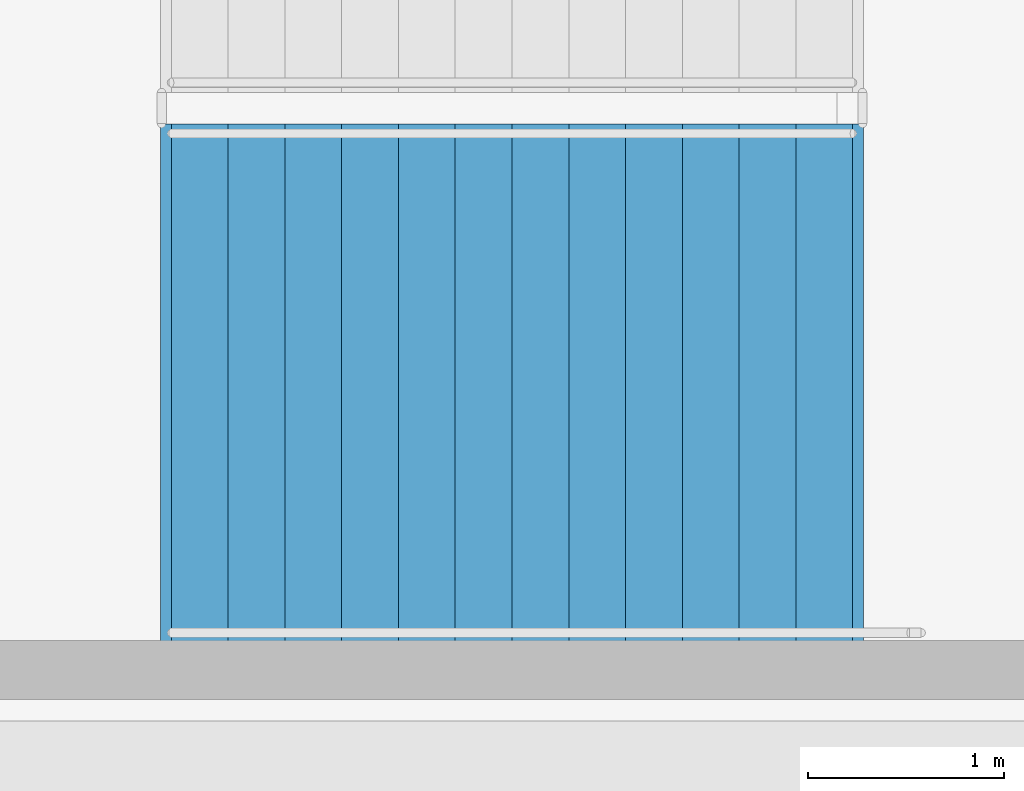
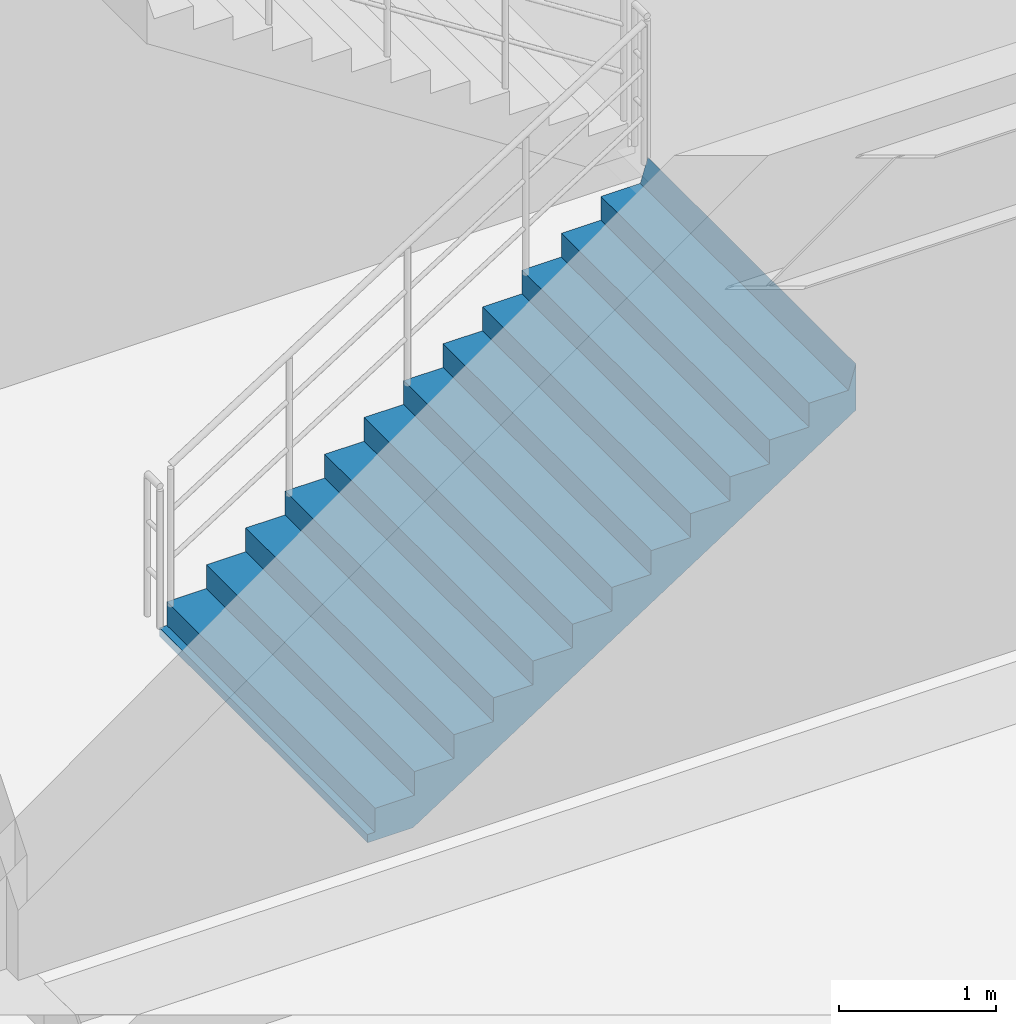
# One storey, part 60 of 68: 1 stair flight, 1 element without a shape of its own.
"""IFC4 building model written with IfcOpenShell, lengths in metres."""

import ifcopenshell
import ifcopenshell.guid

model = None  # the IFC model being written
_history = None  # IfcOwnerHistory: only IFC2X3 demands one
_inside = {}  # id of a spatial element -> (the spatial element, [elements in it])
_under = {}  # id of a project, library or spatial element -> (it, [spatial elements below it])
_declared = {}  # id of a project -> (the project, [libraries it declares])
_typed = {}  # id of a type object -> (the type object, [elements of that type])
_made_of = {}  # id of a material, layer set ... -> (it, [elements and type objects made of it])


def new_model(schema):
    """Start an empty IFC model of exactly this schema.

    Asked for "IFC4X3", IfcOpenShell would pick the latest addendum, in which some entities
    have other attributes; the version numbers below select the first issue.
    IFC2X3 requires an IfcOwnerHistory on every rooted entity: one is made here for all.
    """
    global model, _history
    if schema == "IFC4X3":
        model = ifcopenshell.file(schema_version=(4, 3, 0, 0))
    else:
        model = ifcopenshell.file(schema=schema)
    _inside.clear()
    _under.clear()
    _declared.clear()
    _typed.clear()
    _made_of.clear()
    _history = None
    if model.schema == "IFC2X3":
        org = make("IfcOrganization", Name="unknown")
        user = make(
            "IfcPersonAndOrganization",
            ThePerson=make("IfcPerson", FamilyName="unknown"),
            TheOrganization=org,
        )
        app = make(
            "IfcApplication",
            ApplicationDeveloper=org,
            Version="unknown",
            ApplicationFullName="unknown",
            ApplicationIdentifier="unknown",
        )
        _history = make(
            "IfcOwnerHistory",
            OwningUser=user,
            OwningApplication=app,
            ChangeAction="ADDED",
            CreationDate=0,
        )
    return model


def make(cls, **values):
    """One entity of the class cls with the attributes given. An attribute that is None is left unset."""
    return model.create_entity(
        cls, **{name: value for name, value in values.items() if value is not None}
    )


def rooted(cls, **values):
    """An entity with a GlobalId (a new one), such as an element, a storey or a relation."""
    return make(cls, GlobalId=ifcopenshell.guid.new(), OwnerHistory=_history, **values)


def si_unit(unit_type, name, prefix=None):
    """IfcSIUnit, for example si_unit("LENGTHUNIT", "METRE", prefix="MILLI")."""
    return make("IfcSIUnit", UnitType=unit_type, Prefix=prefix, Name=name)


def assignment(units):
    """IfcUnitAssignment: the units of a project."""
    return None if units is None else make("IfcUnitAssignment", Units=units)


def point(xyz):
    """IfcCartesianPoint."""
    return None if xyz is None else make("IfcCartesianPoint", Coordinates=xyz)


def direction(xyz):
    """IfcDirection."""
    return None if xyz is None else make("IfcDirection", DirectionRatios=xyz)


def frame(location, z_axis=None, x_axis=None):
    """IfcAxis2Placement3D, a coordinate frame: its origin and axes. An axis left out is left unset."""
    return make(
        "IfcAxis2Placement3D",
        Location=point(location),
        Axis=direction(z_axis),
        RefDirection=direction(x_axis),
    )


def origin():
    """The frame at (0, 0, 0) with its axes left unset."""
    return frame((0.0, 0.0, 0.0))


def place(relative_to, where):
    """IfcLocalPlacement: puts the frame where relative to a parent placement (None: the world)."""
    return make(
        "IfcLocalPlacement", PlacementRelTo=relative_to, RelativePlacement=where
    )


def context(
    kind, dimensions, precision=None, world=None, true_north=None, identifier=None
):
    """IfcGeometricRepresentationContext, for example the 3D "Model" context."""
    return make(
        "IfcGeometricRepresentationContext",
        ContextIdentifier=identifier,
        ContextType=kind,
        CoordinateSpaceDimension=dimensions,
        Precision=precision,
        WorldCoordinateSystem=world,
        TrueNorth=true_north,
    )


def subcontext(parent, identifier, kind, view, scale=None):
    """IfcGeometricRepresentationSubContext, for example "Body" below "Model"."""
    return make(
        "IfcGeometricRepresentationSubContext",
        ContextIdentifier=identifier,
        ContextType=kind,
        ParentContext=parent,
        TargetScale=scale,
        TargetView=view,
    )


def project(units=None, contexts=None):
    """IfcProject with its units and contexts."""
    return rooted(
        "IfcProject",
        Name="project",
        RepresentationContexts=contexts,
        UnitsInContext=assignment(units),
    )


def spatial(cls, under=None, at=None, **own):
    """A site, building, storey or space (cls), placed at a placement, below another one or the project."""
    s = rooted(cls, ObjectPlacement=at, **own)
    if under is not None:
        _under.setdefault(under.id(), (under, []))[1].append(s)
    return s


def polyline(points):
    """IfcPolyline through the points."""
    return make("IfcPolyline", Points=[point(p) for p in points])


def outline(outer, holes=None, kind="AREA"):
    """IfcArbitraryClosedProfileDef: a profile drawn as a closed curve; with holes, ...WithVoids."""
    if holes is None:
        return make("IfcArbitraryClosedProfileDef", ProfileType=kind, OuterCurve=outer)
    return make(
        "IfcArbitraryProfileDefWithVoids",
        ProfileType=kind,
        OuterCurve=outer,
        InnerCurves=holes,
    )


def extrude(swept, where, along, depth):
    """IfcExtrudedAreaSolid: the profile swept, set in the frame where, extruded along a direction by depth."""
    return make(
        "IfcExtrudedAreaSolid",
        SweptArea=swept,
        Position=where,
        ExtrudedDirection=direction(along),
        Depth=depth,
    )


def shape(context_of_items, identifier, shape_type, items):
    """IfcShapeRepresentation: the items that make up one representation, for example the "Body"."""
    return make(
        "IfcShapeRepresentation",
        ContextOfItems=context_of_items,
        RepresentationIdentifier=identifier,
        RepresentationType=shape_type,
        Items=items,
    )


def material(Name=None, Category=None):
    """IfcMaterial."""
    return make("IfcMaterial", Name=Name, Category=Category)


def made_of(thing, what):
    """Note that an element or type object is made of a material, layer set ...; save() writes the relation."""
    if what is not None:
        _made_of.setdefault(what.id(), (what, []))[1].append(thing)
    return thing


def type_object(cls, material=None, **own):
    """A type object (cls), such as IfcWallType, which elements share."""
    return made_of(rooted(cls, **own), material)


def element(
    cls,
    number,
    at=None,
    inside=None,
    cuts=None,
    type_object=None,
    material=None,
    context=None,
    identifier="Body",
    shape_type=None,
    held_by="IfcProductDefinitionShape",
    body=None,
    shapes=None,
    **own,
):
    """One element of the class cls, such as IfcWall. Its Tag is "e" and its number.

    at: its placement. inside: the storey or other place that contains it. cuts: it is an
    opening in that element (IfcRelVoidsElement). A single representation is given by context,
    identifier, shape_type and body (its items); several are given by shapes. held_by: the class
    of the entity that holds the representations. save() writes the other relations.
    """
    e = rooted(cls, Tag="e%d" % number, ObjectPlacement=at, **own)
    if body is not None:
        shapes = [shape(context, identifier, shape_type, body)]
    if shapes is not None:
        e.Representation = make(held_by, Representations=shapes)
    if inside is not None:
        _inside.setdefault(inside.id(), (inside, []))[1].append(e)
    if cuts is not None:
        rooted(
            "IfcRelVoidsElement", RelatingBuildingElement=cuts, RelatedOpeningElement=e
        )
    if type_object is not None:
        _typed.setdefault(type_object.id(), (type_object, []))[1].append(e)
    return made_of(e, material)


def aggregate(whole, parts):
    """IfcRelAggregates: a whole, such as a stair, and the parts it consists of."""
    return rooted("IfcRelAggregates", RelatingObject=whole, RelatedObjects=parts)


def save(model, path):
    """Write the relations noted so far, then the file.

    IfcRelAggregates (storeys below a building ...), IfcRelContainedInSpatialStructure (elements
    in a storey), IfcRelDefinesByType, IfcRelAssociatesMaterial and IfcRelDeclares: one each for
    every whole, place, type object, material and project.
    """
    for whole, parts in _under.values():
        aggregate(whole, parts)
    for where, things in _inside.values():
        rooted(
            "IfcRelContainedInSpatialStructure",
            RelatedElements=things,
            RelatingStructure=where,
        )
    for kind, things in _typed.values():
        rooted("IfcRelDefinesByType", RelatedObjects=things, RelatingType=kind)
    for what, things in _made_of.values():
        rooted("IfcRelAssociatesMaterial", RelatedObjects=things, RelatingMaterial=what)
    for by, libraries in _declared.values():
        rooted("IfcRelDeclares", RelatingContext=by, RelatedDefinitions=libraries)
    model.write(path)


model = new_model("IFC4")

# Units and contexts
model_context = context("Model", 3, precision=1e-05, world=origin(), true_north=direction((0.0, 1.0)))
body_context = subcontext(model_context, "Body", "Model", "MODEL_VIEW")
ifc_project = project(units=[si_unit("LENGTHUNIT", "METRE"), si_unit("AREAUNIT", "SQUARE_METRE"), si_unit("VOLUMEUNIT", "CUBIC_METRE"), si_unit("PLANEANGLEUNIT", "RADIAN"), si_unit("MASSUNIT", "GRAM", prefix="KILO")], contexts=[model_context])

# Site, building, storey
site_placement = place(None, origin())
site = spatial("IfcSite", under=ifc_project, at=site_placement, CompositionType="ELEMENT")
building_placement = place(site_placement, origin())
building = spatial("IfcBuilding", under=site, at=building_placement, Name="Cinderbank Siding Concert Hall", CompositionType="ELEMENT")
storey_placement = place(building_placement, frame((0.0, 0.0, -4.800048828125)))
storey = spatial("IfcBuildingStorey", under=building, at=storey_placement, Name="B1", CompositionType="ELEMENT", Elevation=-4.800048828125)

# Stair, stair flight
ifc_material = material(Name="Reinforced concrete AS 3600 N50 (50 MPa)", Category="concrete")
stair_type = type_object("IfcStairType", Name="STR-A Dogleg Exit Stair 2650mm", PredefinedType="HALF_TURN_STAIR", material=ifc_material)
stair_placement = place(storey_placement, origin())
stair = element("IfcStair", 1, at=stair_placement, inside=storey, type_object=stair_type, Name="B1 Orchestral Pavilion Exit Stair ST-07", PredefinedType="HALF_TURN_STAIR")
stair_flight_type = type_object("IfcStairFlightType", Name="SFL-A Concrete Stair Flight 2650mm", PredefinedType="STRAIGHT", material=ifc_material)
stair_flight_placement = place(storey_placement, frame((155.14990234375, 112.52490234375, 0.0), z_axis=(0.0, 0.0, 1.0), x_axis=(1.0, 0.0, 0.0)))
stair_flight = element("IfcStairFlight", 2, at=stair_flight_placement, type_object=stair_flight_type, Name="ST-07 flight 1", NumberOfRisers=13, NumberOfTreads=12, PredefinedType="STRAIGHT", RiserHeight=0.184615385, TreadLength=0.29, context=body_context, shape_type="SweptSolid", body=[
    extrude(outline(polyline([(0.0, 0.0), (0.0, 0.1845703125), (0.2900390625, 0.1845703125), (0.2900390625, 0.369140625), (0.580078125, 0.369140625), (0.580078125, 0.553955078125), (0.8701171875, 0.553955078125), (0.8701171875, 0.738525390625), (1.159912109375, 0.738525390625), (1.159912109375, 0.923095703125), (1.449951171875, 0.923095703125), (1.449951171875, 1.107666015625), (1.739990234375, 1.107666015625), (1.739990234375, 1.292236328125), (2.030029296875, 1.292236328125), (2.030029296875, 1.476806640625), (2.320068359375, 1.476806640625), (2.320068359375, 1.66162109375), (2.610107421875, 1.66162109375), (2.610107421875, 1.84619140625), (2.89990234375, 1.84619140625), (2.89990234375, 2.03076171875), (3.18994140625, 2.03076171875), (3.18994140625, 2.21533203125), (3.47998046875, 2.21533203125), (3.534912109375, 2.39990234375), (3.534912109375, 2.03759765625), (3.53466796875, 2.037841796875), (3.53466796875, 2.0380859375), (3.53466796875, 2.038330078125), (3.53466796875, 2.03857421875), (3.53466796875, 2.038818359375), (3.53466796875, 2.0390625), (3.53466796875, 2.039306640625), (3.53466796875, 2.03955078125), (3.53466796875, 2.039794921875), (3.53466796875, 2.0400390625), (3.53466796875, 2.040283203125), (3.53466796875, 2.04052734375), (3.534423828125, 2.04052734375), (3.534423828125, 2.040283203125), (3.534423828125, 2.0400390625), (3.534423828125, 2.039794921875), (3.534423828125, 2.03955078125), (3.534423828125, 2.039306640625), (3.534423828125, 2.0390625), (3.534423828125, 2.038818359375), (3.534423828125, 2.03857421875), (3.534423828125, 2.038330078125), (3.534423828125, 2.0380859375), (3.534423828125, 2.037841796875), (3.534423828125, 2.03759765625), (3.5341796875, 2.037841796875), (3.5341796875, 2.0380859375), (3.5341796875, 2.038330078125), (3.5341796875, 2.03857421875), (3.5341796875, 2.038818359375), (3.5341796875, 2.0390625), (3.5341796875, 2.039306640625), (3.5341796875, 2.03955078125), (3.5341796875, 2.039794921875), (3.5341796875, 2.0400390625), (3.5341796875, 2.040283203125), (3.5341796875, 2.04052734375), (3.533935546875, 2.04052734375), (3.533935546875, 2.040283203125), (3.533935546875, 2.0400390625), (3.533935546875, 2.039794921875), (3.533935546875, 2.03955078125), (3.533935546875, 2.039306640625), (3.533935546875, 2.0390625), (3.533935546875, 2.038818359375), (3.533935546875, 2.03857421875), (3.533935546875, 2.038330078125), (3.533935546875, 2.0380859375), (3.533935546875, 2.037841796875), (3.533935546875, 2.03759765625), (3.53369140625, 2.037841796875), (3.53369140625, 2.0380859375), (3.53369140625, 2.038330078125), (3.53369140625, 2.03857421875), (3.53369140625, 2.038818359375), (3.53369140625, 2.0390625), (3.53369140625, 2.039306640625), (3.53369140625, 2.03955078125), (3.53369140625, 2.039794921875), (3.53369140625, 2.0400390625), (3.53369140625, 2.040283203125), (3.53369140625, 2.04052734375), (3.533447265625, 2.04052734375), (3.533447265625, 2.040283203125), (3.533447265625, 2.0400390625), (3.533447265625, 2.039794921875), (3.533447265625, 2.03955078125), (3.533447265625, 2.039306640625), (3.533447265625, 2.0390625), (3.533447265625, 2.038818359375), (3.533447265625, 2.03857421875), (3.533447265625, 2.038330078125), (3.533447265625, 2.0380859375), (3.533447265625, 2.037841796875), (3.533447265625, 2.03759765625), (3.533203125, 2.037841796875), (3.533203125, 2.0380859375), (3.533203125, 2.038330078125), (3.533203125, 2.03857421875), (3.533203125, 2.038818359375), (3.533203125, 2.0390625), (3.533203125, 2.039306640625), (3.533203125, 2.03955078125), (3.533203125, 2.039794921875), (3.533203125, 2.0400390625), (3.533203125, 2.040283203125), (3.533203125, 2.04052734375), (3.532958984375, 2.04052734375), (3.532958984375, 2.040283203125), (3.532958984375, 2.0400390625), (3.532958984375, 2.039794921875), (3.532958984375, 2.03955078125), (3.532958984375, 2.039306640625), (3.532958984375, 2.0390625), (3.532958984375, 2.038818359375), (3.532958984375, 2.03857421875), (3.532958984375, 2.038330078125), (3.532958984375, 2.0380859375), (3.532958984375, 2.037841796875), (3.532958984375, 2.03759765625), (3.53271484375, 2.037841796875), (3.53271484375, 2.0380859375), (3.53271484375, 2.038330078125), (3.53271484375, 2.03857421875), (3.53271484375, 2.038818359375), (3.53271484375, 2.0390625), (3.53271484375, 2.039306640625), (3.53271484375, 2.03955078125), (3.53271484375, 2.039794921875), (3.53271484375, 2.0400390625), (3.53271484375, 2.040283203125), (3.53271484375, 2.04052734375), (3.532470703125, 2.04052734375), (3.532470703125, 2.040283203125), (3.532470703125, 2.0400390625), (3.532470703125, 2.039794921875), (3.532470703125, 2.03955078125), (3.532470703125, 2.039306640625), (3.532470703125, 2.0390625), (3.532470703125, 2.038818359375), (3.532470703125, 2.03857421875), (3.532470703125, 2.038330078125), (3.532470703125, 2.0380859375), (3.532470703125, 2.037841796875), (3.532470703125, 2.03759765625), (3.5322265625, 2.037841796875), (3.5322265625, 2.0380859375), (3.5322265625, 2.038330078125), (3.5322265625, 2.03857421875), (3.5322265625, 2.038818359375), (3.5322265625, 2.0390625), (3.5322265625, 2.039306640625), (3.5322265625, 2.03955078125), (3.5322265625, 2.039794921875), (3.5322265625, 2.0400390625), (3.5322265625, 2.040283203125), (3.5322265625, 2.04052734375), (3.531982421875, 2.04052734375), (3.531982421875, 2.040283203125), (3.531982421875, 2.0400390625), (3.531982421875, 2.039794921875), (3.531982421875, 2.03955078125), (3.531982421875, 2.039306640625), (3.531982421875, 2.0390625), (3.531982421875, 2.038818359375), (3.531982421875, 2.03857421875), (3.531982421875, 2.038330078125), (3.531982421875, 2.0380859375), (3.531982421875, 2.037841796875), (3.531982421875, 2.03759765625), (3.53173828125, 2.037841796875), (3.53173828125, 2.0380859375), (3.53173828125, 2.038330078125), (3.53173828125, 2.03857421875), (3.53173828125, 2.038818359375), (3.53173828125, 2.0390625), (3.53173828125, 2.039306640625), (3.53173828125, 2.03955078125), (3.53173828125, 2.039794921875), (3.53173828125, 2.0400390625), (3.53173828125, 2.040283203125), (3.53173828125, 2.04052734375), (3.531494140625, 2.04052734375), (3.531494140625, 2.040283203125), (3.531494140625, 2.0400390625), (3.531494140625, 2.039794921875), (3.531494140625, 2.03955078125), (3.531494140625, 2.039306640625), (3.531494140625, 2.0390625), (3.531494140625, 2.038818359375), (3.531494140625, 2.03857421875), (3.531494140625, 2.038330078125), (3.531494140625, 2.0380859375), (3.531494140625, 2.037841796875), (3.531494140625, 2.03759765625), (3.53125, 2.037841796875), (3.53125, 2.0380859375), (3.53125, 2.038330078125), (3.53125, 2.03857421875), (3.53125, 2.038818359375), (3.53125, 2.0390625), (3.53125, 2.039306640625), (3.53125, 2.03955078125), (3.53125, 2.039794921875), (3.53125, 2.0400390625), (3.53125, 2.040283203125), (3.53125, 2.04052734375), (3.531005859375, 2.04052734375), (3.531005859375, 2.040283203125), (3.531005859375, 2.0400390625), (3.531005859375, 2.039794921875), (3.531005859375, 2.03955078125), (3.531005859375, 2.039306640625), (3.531005859375, 2.0390625), (3.531005859375, 2.038818359375), (3.531005859375, 2.03857421875), (3.531005859375, 2.038330078125), (3.531005859375, 2.0380859375), (3.531005859375, 2.037841796875), (3.531005859375, 2.03759765625), (3.53076171875, 2.037841796875), (3.53076171875, 2.0380859375), (3.53076171875, 2.038330078125), (3.53076171875, 2.03857421875), (3.53076171875, 2.038818359375), (3.53076171875, 2.0390625), (3.53076171875, 2.039306640625), (3.53076171875, 2.03955078125), (3.53076171875, 2.039794921875), (3.53076171875, 2.0400390625), (3.53076171875, 2.040283203125), (3.53076171875, 2.04052734375), (3.530517578125, 2.04052734375), (3.530517578125, 2.040283203125), (3.530517578125, 2.0400390625), (3.530517578125, 2.039794921875), (3.530517578125, 2.03955078125), (3.530517578125, 2.039306640625), (3.530517578125, 2.0390625), (3.530517578125, 2.038818359375), (3.530517578125, 2.03857421875), (3.530517578125, 2.038330078125), (3.530517578125, 2.0380859375), (3.530517578125, 2.037841796875), (3.530517578125, 2.03759765625), (3.5302734375, 2.037841796875), (3.5302734375, 2.0380859375), (3.5302734375, 2.038330078125), (3.5302734375, 2.03857421875), (3.5302734375, 2.038818359375), (3.5302734375, 2.0390625), (3.5302734375, 2.039306640625), (3.5302734375, 2.03955078125), (3.5302734375, 2.039794921875), (3.5302734375, 2.0400390625), (3.5302734375, 2.040283203125), (3.5302734375, 2.04052734375), (3.530029296875, 2.04052734375), (3.530029296875, 2.040283203125), (3.530029296875, 2.0400390625), (3.530029296875, 2.039794921875), (3.530029296875, 2.03955078125), (3.530029296875, 2.039306640625), (3.530029296875, 2.0390625), (3.530029296875, 2.038818359375), (3.530029296875, 2.03857421875), (3.530029296875, 2.038330078125), (3.530029296875, 2.0380859375), (3.530029296875, 2.037841796875), (3.530029296875, 2.03759765625), (3.52978515625, 2.037841796875), (3.52978515625, 2.0380859375), (3.52978515625, 2.038330078125), (3.52978515625, 2.03857421875), (3.52978515625, 2.038818359375), (3.52978515625, 2.0390625), (3.52978515625, 2.039306640625), (3.52978515625, 2.03955078125), (3.52978515625, 2.039794921875), (3.52978515625, 2.0400390625), (3.52978515625, 2.040283203125), (3.52978515625, 2.04052734375), (3.529541015625, 2.04052734375), (3.529541015625, 2.040283203125), (3.529541015625, 2.0400390625), (3.529541015625, 2.039794921875), (3.529541015625, 2.03955078125), (3.529541015625, 2.039306640625), (3.529541015625, 2.0390625), (3.529541015625, 2.038818359375), (3.529541015625, 2.03857421875), (3.529541015625, 2.038330078125), (3.529541015625, 2.0380859375), (3.529541015625, 2.037841796875), (3.529541015625, 2.03759765625), (3.529296875, 2.037841796875), (3.529296875, 2.0380859375), (3.529296875, 2.038330078125), (3.529296875, 2.03857421875), (3.529296875, 2.038818359375), (3.529296875, 2.0390625), (3.529296875, 2.039306640625), (3.529296875, 2.03955078125), (3.529296875, 2.039794921875), (3.529296875, 2.0400390625), (3.529296875, 2.040283203125), (3.529296875, 2.04052734375), (3.529052734375, 2.04052734375), (3.529052734375, 2.040283203125), (3.529052734375, 2.0400390625), (3.529052734375, 2.039794921875), (3.529052734375, 2.03955078125), (3.529052734375, 2.039306640625), (3.529052734375, 2.0390625), (3.529052734375, 2.038818359375), (3.529052734375, 2.03857421875), (3.529052734375, 2.038330078125), (3.529052734375, 2.0380859375), (3.529052734375, 2.037841796875), (3.529052734375, 2.03759765625), (3.52880859375, 2.037841796875), (3.52880859375, 2.0380859375), (3.52880859375, 2.038330078125), (3.52880859375, 2.03857421875), (3.52880859375, 2.038818359375), (3.52880859375, 2.0390625), (3.52880859375, 2.039306640625), (3.52880859375, 2.03955078125), (3.52880859375, 2.039794921875), (3.52880859375, 2.0400390625), (3.52880859375, 2.040283203125), (3.52880859375, 2.04052734375), (3.528564453125, 2.04052734375), (3.528564453125, 2.040283203125), (3.528564453125, 2.0400390625), (3.528564453125, 2.039794921875), (3.528564453125, 2.03955078125), (3.528564453125, 2.039306640625), (3.528564453125, 2.0390625), (3.528564453125, 2.038818359375), (3.528564453125, 2.03857421875), (3.528564453125, 2.038330078125), (3.528564453125, 2.0380859375), (3.528564453125, 2.037841796875), (3.528564453125, 2.03759765625), (0.279052734375, -0.06396484375), (-0.048583984375, -0.063720703125), (-0.048583984375, -0.0634765625), (-0.048583984375, -0.063232421875), (-0.048583984375, -0.06298828125), (-0.048583984375, -0.062744140625), (-0.048583984375, -0.0625), (-0.048583984375, -0.062255859375), (-0.048583984375, -0.06201171875), (-0.048583984375, -0.061767578125), (-0.048583984375, -0.0615234375), (-0.048583984375, -0.061279296875), (-0.048583984375, -0.06103515625), (-0.048828125, -0.06103515625), (-0.048828125, -0.061279296875), (-0.048828125, -0.0615234375), (-0.048828125, -0.061767578125), (-0.048828125, -0.06201171875), (-0.048828125, -0.062255859375), (-0.048828125, -0.0625), (-0.048828125, -0.062744140625), (-0.048828125, -0.06298828125), (-0.048828125, -0.063232421875), (-0.048828125, -0.0634765625), (-0.048828125, -0.063720703125), (-0.048828125, -0.06396484375), (-0.049072265625, -0.063720703125), (-0.049072265625, -0.0634765625), (-0.049072265625, -0.063232421875), (-0.049072265625, -0.06298828125), (-0.049072265625, -0.062744140625), (-0.049072265625, -0.0625), (-0.049072265625, -0.062255859375), (-0.049072265625, -0.06201171875), (-0.049072265625, -0.061767578125), (-0.049072265625, -0.0615234375), (-0.049072265625, -0.061279296875), (-0.049072265625, -0.06103515625), (-0.04931640625, -0.06103515625), (-0.04931640625, -0.061279296875), (-0.04931640625, -0.0615234375), (-0.04931640625, -0.061767578125), (-0.04931640625, -0.06201171875), (-0.04931640625, -0.062255859375), (-0.04931640625, -0.0625), (-0.04931640625, -0.062744140625), (-0.04931640625, -0.06298828125), (-0.04931640625, -0.063232421875), (-0.04931640625, -0.0634765625), (-0.04931640625, -0.063720703125), (-0.04931640625, -0.06396484375), (-0.049560546875, -0.063720703125), (-0.049560546875, -0.0634765625), (-0.049560546875, -0.063232421875), (-0.049560546875, -0.06298828125), (-0.049560546875, -0.062744140625), (-0.049560546875, -0.0625), (-0.049560546875, -0.062255859375), (-0.049560546875, -0.06201171875), (-0.049560546875, -0.061767578125), (-0.049560546875, -0.0615234375), (-0.049560546875, -0.061279296875), (-0.049560546875, -0.06103515625), (-0.0498046875, -0.06103515625), (-0.0498046875, -0.061279296875), (-0.0498046875, -0.0615234375), (-0.0498046875, -0.061767578125), (-0.0498046875, -0.06201171875), (-0.0498046875, -0.062255859375), (-0.0498046875, -0.0625), (-0.0498046875, -0.062744140625), (-0.0498046875, -0.06298828125), (-0.0498046875, -0.063232421875), (-0.0498046875, -0.0634765625), (-0.0498046875, -0.063720703125), (-0.0498046875, -0.06396484375), (-0.050048828125, -0.063720703125), (-0.050048828125, -0.0634765625), (-0.050048828125, -0.063232421875), (-0.050048828125, -0.06298828125), (-0.050048828125, -0.062744140625), (-0.050048828125, -0.0625), (-0.050048828125, -0.062255859375), (-0.050048828125, -0.06201171875), (-0.050048828125, -0.061767578125), (-0.050048828125, -0.0615234375), (-0.050048828125, -0.061279296875), (-0.050048828125, -0.06103515625), (-0.05029296875, -0.06103515625), (-0.05029296875, -0.061279296875), (-0.05029296875, -0.0615234375), (-0.05029296875, -0.061767578125), (-0.05029296875, -0.06201171875), (-0.05029296875, -0.062255859375), (-0.05029296875, -0.0625), (-0.05029296875, -0.062744140625), (-0.05029296875, -0.06298828125), (-0.05029296875, -0.063232421875), (-0.05029296875, -0.0634765625), (-0.05029296875, -0.063720703125), (-0.05029296875, -0.06396484375), (-0.050537109375, -0.063720703125), (-0.050537109375, -0.0634765625), (-0.050537109375, -0.063232421875), (-0.050537109375, -0.06298828125), (-0.050537109375, -0.062744140625), (-0.050537109375, -0.0625), (-0.050537109375, -0.062255859375), (-0.050537109375, -0.06201171875), (-0.050537109375, -0.061767578125), (-0.050537109375, -0.0615234375), (-0.050537109375, -0.061279296875), (-0.050537109375, -0.06103515625), (-0.05078125, -0.06103515625), (-0.05078125, -0.061279296875), (-0.05078125, -0.0615234375), (-0.05078125, -0.061767578125), (-0.05078125, -0.06201171875), (-0.05078125, -0.062255859375), (-0.05078125, -0.0625), (-0.05078125, -0.062744140625), (-0.05078125, -0.06298828125), (-0.05078125, -0.063232421875), (-0.05078125, -0.0634765625), (-0.05078125, -0.063720703125), (-0.05078125, -0.06396484375), (-0.051025390625, -0.063720703125), (-0.051025390625, -0.0634765625), (-0.051025390625, -0.063232421875), (-0.051025390625, -0.06298828125), (-0.051025390625, -0.062744140625), (-0.051025390625, -0.0625), (-0.051025390625, -0.062255859375), (-0.051025390625, -0.06201171875), (-0.051025390625, -0.061767578125), (-0.051025390625, -0.0615234375), (-0.051025390625, -0.061279296875), (-0.051025390625, -0.06103515625), (-0.05126953125, -0.06103515625), (-0.05126953125, -0.061279296875), (-0.05126953125, -0.0615234375), (-0.05126953125, -0.061767578125), (-0.05126953125, -0.06201171875), (-0.05126953125, -0.062255859375), (-0.05126953125, -0.0625), (-0.05126953125, -0.062744140625), (-0.05126953125, -0.06298828125), (-0.05126953125, -0.063232421875), (-0.05126953125, -0.0634765625), (-0.05126953125, -0.063720703125), (-0.05126953125, -0.06396484375), (-0.051513671875, -0.063720703125), (-0.051513671875, -0.0634765625), (-0.051513671875, -0.063232421875), (-0.051513671875, -0.06298828125), (-0.051513671875, -0.062744140625), (-0.051513671875, -0.0625), (-0.051513671875, -0.062255859375), (-0.051513671875, -0.06201171875), (-0.051513671875, -0.061767578125), (-0.051513671875, -0.0615234375), (-0.051513671875, -0.061279296875), (-0.051513671875, -0.06103515625), (-0.0517578125, -0.06103515625), (-0.0517578125, -0.061279296875), (-0.0517578125, -0.0615234375), (-0.0517578125, -0.061767578125), (-0.0517578125, -0.06201171875), (-0.0517578125, -0.062255859375), (-0.0517578125, -0.0625), (-0.0517578125, -0.062744140625), (-0.0517578125, -0.06298828125), (-0.0517578125, -0.063232421875), (-0.0517578125, -0.0634765625), (-0.0517578125, -0.063720703125), (-0.0517578125, -0.06396484375), (-0.052001953125, -0.063720703125), (-0.052001953125, -0.0634765625), (-0.052001953125, -0.063232421875), (-0.052001953125, -0.06298828125), (-0.052001953125, -0.062744140625), (-0.052001953125, -0.0625), (-0.052001953125, -0.062255859375), (-0.052001953125, -0.06201171875), (-0.052001953125, -0.061767578125), (-0.052001953125, -0.0615234375), (-0.052001953125, -0.061279296875), (-0.052001953125, -0.06103515625), (-0.05224609375, -0.06103515625), (-0.05224609375, -0.061279296875), (-0.05224609375, -0.0615234375), (-0.05224609375, -0.061767578125), (-0.05224609375, -0.06201171875), (-0.05224609375, -0.062255859375), (-0.05224609375, -0.0625), (-0.05224609375, -0.062744140625), (-0.05224609375, -0.06298828125), (-0.05224609375, -0.063232421875), (-0.05224609375, -0.0634765625), (-0.05224609375, -0.063720703125), (-0.05224609375, -0.06396484375), (-0.052490234375, -0.063720703125), (-0.052490234375, -0.0634765625), (-0.052490234375, -0.063232421875), (-0.052490234375, -0.06298828125), (-0.052490234375, -0.062744140625), (-0.052490234375, -0.0625), (-0.052490234375, -0.062255859375), (-0.052490234375, -0.06201171875), (-0.052490234375, -0.061767578125), (-0.052490234375, -0.0615234375), (-0.052490234375, -0.061279296875), (-0.052490234375, -0.06103515625), (-0.052734375, -0.06103515625), (-0.052734375, -0.061279296875), (-0.052734375, -0.0615234375), (-0.052734375, -0.061767578125), (-0.052734375, -0.06201171875), (-0.052734375, -0.062255859375), (-0.052734375, -0.0625), (-0.052734375, -0.062744140625), (-0.052734375, -0.06298828125), (-0.052734375, -0.063232421875), (-0.052734375, -0.0634765625), (-0.052734375, -0.063720703125), (-0.052734375, -0.06396484375), (-0.052978515625, -0.063720703125), (-0.052978515625, -0.0634765625), (-0.052978515625, -0.063232421875), (-0.052978515625, -0.06298828125), (-0.052978515625, -0.062744140625), (-0.052978515625, -0.0625), (-0.052978515625, -0.062255859375), (-0.052978515625, -0.06201171875), (-0.052978515625, -0.061767578125), (-0.052978515625, -0.0615234375), (-0.052978515625, -0.061279296875), (-0.052978515625, -0.06103515625), (-0.05322265625, -0.06103515625), (-0.05322265625, -0.061279296875), (-0.05322265625, -0.0615234375), (-0.05322265625, -0.061767578125), (-0.05322265625, -0.06201171875), (-0.05322265625, -0.062255859375), (-0.05322265625, -0.0625), (-0.05322265625, -0.062744140625), (-0.05322265625, -0.06298828125), (-0.05322265625, -0.063232421875), (-0.05322265625, -0.0634765625), (-0.05322265625, -0.063720703125), (-0.05322265625, -0.06396484375), (-0.053466796875, -0.063720703125), (-0.053466796875, -0.0634765625), (-0.053466796875, -0.063232421875), (-0.053466796875, -0.06298828125), (-0.053466796875, -0.062744140625), (-0.053466796875, -0.0625), (-0.053466796875, -0.062255859375), (-0.053466796875, -0.06201171875), (-0.053466796875, -0.061767578125), (-0.053466796875, -0.0615234375), (-0.053466796875, -0.061279296875), (-0.053466796875, -0.06103515625), (-0.0537109375, -0.06103515625), (-0.0537109375, -0.061279296875), (-0.0537109375, -0.0615234375), (-0.0537109375, -0.061767578125), (-0.0537109375, -0.06201171875), (-0.0537109375, -0.062255859375), (-0.0537109375, -0.0625), (-0.0537109375, -0.062744140625), (-0.0537109375, -0.06298828125), (-0.0537109375, -0.063232421875), (-0.0537109375, -0.0634765625), (-0.0537109375, -0.063720703125), (-0.0537109375, -0.06396484375), (-0.053955078125, -0.063720703125), (-0.053955078125, -0.0634765625), (-0.053955078125, -0.063232421875), (-0.053955078125, -0.06298828125), (-0.053955078125, -0.062744140625), (-0.053955078125, -0.0625), (-0.053955078125, -0.062255859375), (-0.053955078125, -0.06201171875), (-0.053955078125, -0.061767578125), (-0.053955078125, -0.0615234375), (-0.053955078125, -0.061279296875), (-0.053955078125, -0.06103515625), (-0.05419921875, -0.06103515625), (-0.05419921875, -0.061279296875), (-0.05419921875, -0.0615234375), (-0.05419921875, -0.061767578125), (-0.05419921875, -0.06201171875), (-0.05419921875, -0.062255859375), (-0.05419921875, -0.0625), (-0.05419921875, -0.062744140625), (-0.05419921875, -0.06298828125), (-0.05419921875, -0.063232421875), (-0.05419921875, -0.0634765625), (-0.05419921875, -0.063720703125), (-0.05419921875, -0.06396484375), (-0.054443359375, -0.063720703125), (-0.054443359375, -0.0634765625), (-0.054443359375, -0.063232421875), (-0.054443359375, -0.06298828125), (-0.054443359375, -0.062744140625), (-0.054443359375, -0.0625), (-0.054443359375, -0.062255859375), (-0.054443359375, -0.06201171875), (-0.054443359375, -0.061767578125), (-0.054443359375, -0.0615234375), (-0.054443359375, -0.061279296875), (-0.054443359375, -0.06103515625), (-0.0546875, -0.06103515625), (-0.0546875, -0.061279296875), (-0.0546875, -0.0615234375), (-0.0546875, -0.061767578125), (-0.0546875, -0.06201171875), (-0.0546875, -0.062255859375), (-0.0546875, -0.0625), (-0.0546875, -0.062744140625), (-0.0546875, -0.06298828125), (-0.0546875, -0.063232421875), (-0.0546875, -0.0634765625), (-0.0546875, -0.063720703125), (-0.0546875, -0.06396484375), (-0.054931640625, -0.06396484375), (-0.054931640625, 0.0), (0.0, 0.0)])), frame((0.0, 1.324951171875, 0.0), z_axis=(0.0, -1.0, 0.0), x_axis=(1.0, 0.0, 0.0)), (0.0, 0.0, 1.0), 2.64990234375),
])
aggregate(stair, [stair_flight])

save(model, "model.ifc")
